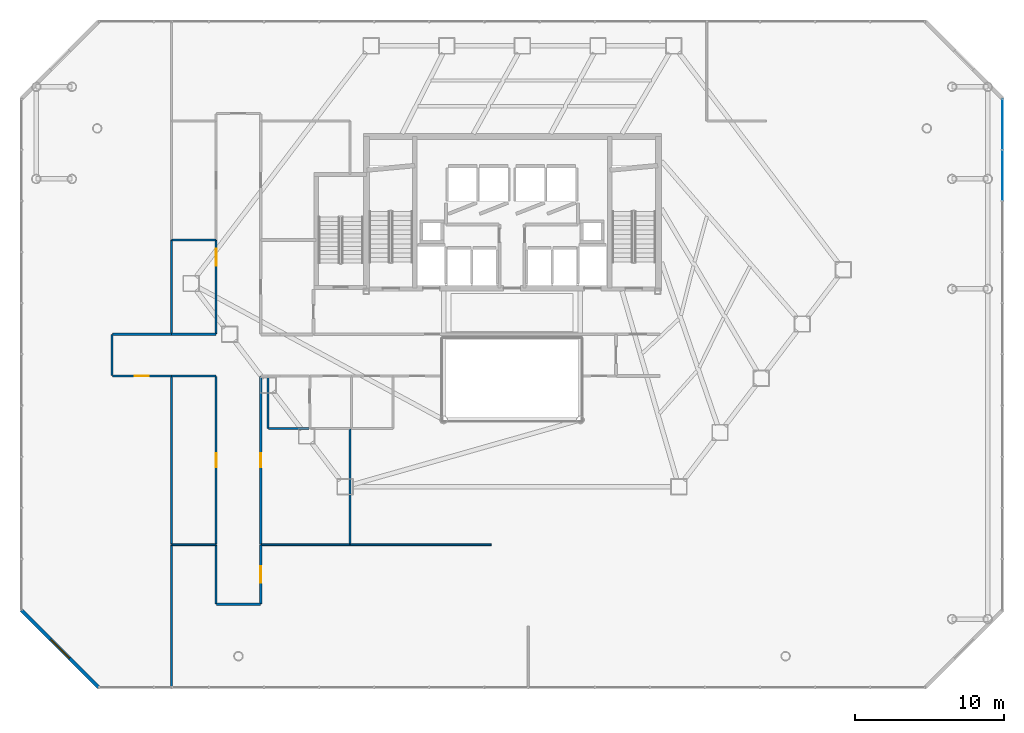
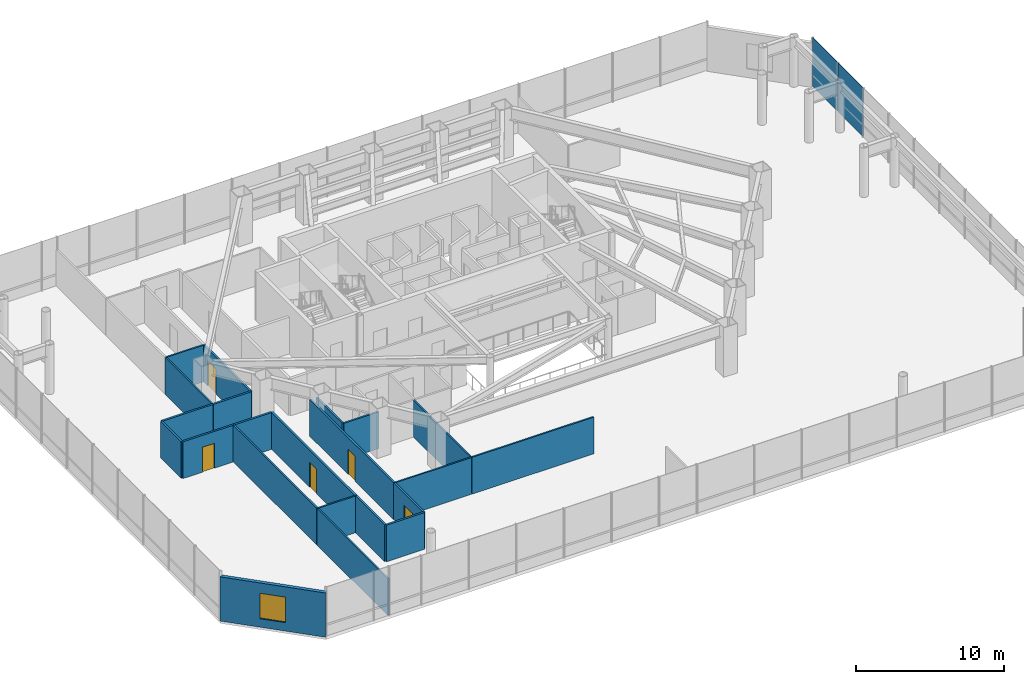
# One storey, part 29 of 33: 22 walls, 5 doors, 2 plates, 1 window, 6 openings, 1 element without a shape of its own.
"""IFC4 building model written with IfcOpenShell, lengths in metres."""

from ifc_helpers import new_model, si_unit, direction, frame, frame_2d, origin, origin_2d, place, context, subcontext, project, spatial, rectangle, extrude, material, layer, layer_set, type_object, element, fill, aggregate, save


model = new_model("IFC4")

# Units and contexts
model_context = context("Model", 3, precision=1e-05, world=origin(), true_north=direction((0.0, 1.0)))
body_context = subcontext(model_context, "Body", "Model", "MODEL_VIEW")
ifc_project = project(units=[si_unit("LENGTHUNIT", "METRE"), si_unit("AREAUNIT", "SQUARE_METRE"), si_unit("VOLUMEUNIT", "CUBIC_METRE"), si_unit("PLANEANGLEUNIT", "RADIAN"), si_unit("MASSUNIT", "GRAM", prefix="KILO")], contexts=[model_context])

# Site, building, storey
site_placement = place(None, origin())
site = spatial("IfcSite", under=ifc_project, at=site_placement, CompositionType="ELEMENT")
building_placement = place(site_placement, origin())
building = spatial("IfcBuilding", under=site, at=building_placement, Name="Zarrinselat Tower", CompositionType="ELEMENT")
storey_placement = place(building_placement, frame((0.0, 0.0, 18.360107421875)))
storey = spatial("IfcBuildingStorey", under=building, at=storey_placement, Name="L04", CompositionType="ELEMENT", Elevation=18.360107421875)

# Curtain wall, plates
ifc_material_1 = material(Name="Extruded Aluminium Alloy EN AW-6063 T6", Category="aluminium")
ifc_layer_1 = layer(ifc_material_1, 0.2099609375)
ifc_layer_set_1 = layer_set([ifc_layer_1], Name="Extruded Aluminium Alloy EN AW-6063 T6")
curtain_wall_type = type_object("IfcCurtainWallType", Name="CWS-POD", PredefinedType="NOTDEFINED", material=ifc_layer_set_1)
curtain_wall_placement = place(storey_placement, origin())
curtain_wall = element("IfcCurtainWall", 1, at=curtain_wall_placement, inside=storey, type_object=curtain_wall_type, Name="L04 Unitised Curtain Wall CW-L04-F3", PredefinedType="NOTDEFINED")
ifc_material_2 = material(Name="Double Low-E Laminated Solar Glass", Category="glass")
ifc_layer_2 = layer(ifc_material_2, 0.035888671875)
ifc_layer_set_2 = layer_set([ifc_layer_2], Name="Double Low-E Laminated Solar Glass")
plate_type = type_object("IfcPlateType", Name="PLT-CW-GL36", PredefinedType="CURTAIN_PANEL", material=ifc_layer_set_2)
plate_1_placement = place(storey_placement, frame((71.39990234375, 40.840087890625, 0.02001953125), z_axis=(0.0, 0.0, 1.0), x_axis=(0.0, 1.0, 0.0)))
plate_1 = element("IfcPlate", 2, at=plate_1_placement, type_object=plate_type, Name="CW-L04-F3 Vision Glass Panel 9", PredefinedType="CURTAIN_PANEL", context=body_context, shape_type="SweptSolid", body=[
    extrude(rectangle(XDim=3.340087890625, YDim=0.035888671875, at=origin_2d()), origin(), (0.0, 0.0, 1.0), 4.030029296875),
])
plate_2_placement = place(storey_placement, frame((71.39990234375, 44.280029296875, 0.02001953125), z_axis=(0.0, 0.0, 1.0), x_axis=(0.0, 1.0, 0.0)))
plate_2 = element("IfcPlate", 3, at=plate_2_placement, type_object=plate_type, Name="CW-L04-F3 Vision Glass Panel 10", PredefinedType="CURTAIN_PANEL", context=body_context, shape_type="SweptSolid", body=[
    extrude(rectangle(XDim=3.340087890625, YDim=0.035888671875, at=origin_2d()), origin(), (0.0, 0.0, 1.0), 4.030029296875),
])
aggregate(curtain_wall, [plate_1, plate_2])

# Wall, opening, window
ifc_material_3 = material(Name="Honed Cream Travertine Stone", Category="masonry")
ifc_layer_3 = layer(ifc_material_3, 0.260009765625)
ifc_layer_set_3 = layer_set([ifc_layer_3], Name="Honed Cream Travertine Stone")
wall_type_1 = type_object("IfcWallType", Name="WAL-EXT-STONE-260", PredefinedType="STANDARD", material=ifc_layer_set_3)
wall_1_placement = place(storey_placement, frame((5.39990234375, 11.60009765625, 0.0), z_axis=(0.0, 0.0, 1.0), x_axis=(0.707106781187, -0.707106781187, 0.0)))
wall_1 = element("IfcWall", 4, at=wall_1_placement, inside=storey, type_object=wall_type_1, Name="L04 Chamfered Stone Corner Wall 7", PredefinedType="STANDARD", context=body_context, shape_type="SweptSolid", body=[
    extrude(rectangle(XDim=7.354248046875, YDim=0.260009765625, at=frame_2d((3.67724609375, 0.0))), origin(), (0.0, 0.0, 1.0), 3.64990234375),
])
opening_1_placement = place(wall_1_placement, frame((2.777099609375, 0.0, 0.699951171875)))
opening_1 = element("IfcOpeningElement", 5, at=opening_1_placement, cuts=wall_1, Name="Opening WN-2", PredefinedType="OPENING", context=body_context, shape_type="SweptSolid", body=[
    extrude(rectangle(XDim=1.800048828125, YDim=2.10009765625, at=frame_2d((0.89990234375, 1.050048828125))), frame((0.0, 0.139892578125, 0.0), z_axis=(0.0, -1.0, 0.0), x_axis=(1.0, 0.0, 0.0)), (0.0, 0.0, 1.0), 0.280029296875),
])
ifc_material_4 = material(Name="Double Low-E Laminated Solar Glass", Category="glass")
window_type = type_object("IfcWindowType", Name="WIN-GALLERY-1800", PartitioningType="SINGLE_PANEL", PredefinedType="WINDOW", material=ifc_material_4)
window_placement = place(opening_1_placement, origin())
window = element("IfcWindow", 6, at=window_placement, inside=storey, type_object=window_type, Name="L04 Corner Gallery Window 7", OverallHeight=2.10009765625, OverallWidth=1.800048828125, PartitioningType="SINGLE_PANEL", PredefinedType="WINDOW", context=body_context, shape_type="SweptSolid", body=[
    extrude(rectangle(XDim=1.800048828125, YDim=2.10009765625, at=frame_2d((0.89990234375, 1.050048828125))), frame((0.0, 0.030029296875, 0.0), z_axis=(0.0, -1.0, 0.0), x_axis=(1.0, 0.0, 0.0)), (0.0, 0.0, 1.0), 0.06005859375),
])
fill(opening_1, window)

# Wall, opening, door
ifc_material_5 = material(Name="Fire-Rated Gypsum Board Partition", Category="gypsum")
ifc_layer_4 = layer(ifc_material_5, 0.14990234375)
ifc_layer_set_4 = layer_set([ifc_layer_4], Name="Fire-Rated Gypsum Board Partition")
wall_type_2 = type_object("IfcWallType", Name="WAL-PART-EI60", PredefinedType="PARTITIONING", material=ifc_layer_set_4)
wall_2_placement = place(storey_placement, frame((21.5, 12.02001953125, 0.0), z_axis=(0.0, 0.0, 1.0), x_axis=(0.0, 1.0, 0.0)))
wall_2 = element("IfcWall", 7, at=wall_2_placement, inside=storey, type_object=wall_type_2, Name="L04 Partition Wall 16", PredefinedType="PARTITIONING", context=body_context, shape_type="SweptSolid", body=[
    extrude(rectangle(XDim=3.97509765625, YDim=0.14990234375, at=frame_2d((1.987548828125, 0.0))), origin(), (0.0, 0.0, 1.0), 3.02685546875),
])
opening_2_placement = place(wall_2_placement, frame((1.427490234375, 0.0, 0.0)))
opening_2 = element("IfcOpeningElement", 8, at=opening_2_placement, cuts=wall_2, Name="Opening ID-02", PredefinedType="OPENING", context=body_context, shape_type="SweptSolid", body=[
    extrude(rectangle(XDim=1.1201171875, YDim=2.050048828125, at=frame_2d((0.56005859375, 1.02490234375))), frame((0.0, 0.0849609375, 0.0), z_axis=(0.0, -1.0, 0.0), x_axis=(1.0, 0.0, 0.0)), (0.0, 0.0, 1.0), 0.169921875),
])
ifc_material_6 = material(Name="Steel S355J2", Category="steel")
door_type_1 = type_object("IfcDoorType", Name="DR-INT-FD60-W", OperationType="NOTDEFINED", PredefinedType="DOOR", material=ifc_material_6)
door_1_placement = place(opening_2_placement, origin())
door_1 = element("IfcDoor", 9, at=door_1_placement, inside=storey, type_object=door_type_1, Name="L04 Interior Door P16", OperationType="SINGLE_SWING_RIGHT", OverallHeight=2.050048828125, OverallWidth=1.1201171875, PredefinedType="DOOR", context=body_context, shape_type="SweptSolid", body=[
    extrude(rectangle(XDim=1.1201171875, YDim=2.050048828125, at=frame_2d((0.56005859375, 1.02490234375))), frame((0.0, 0.02490234375, 0.0), z_axis=(0.0, -1.0, 0.0), x_axis=(1.0, 0.0, 0.0)), (0.0, 0.0, 1.0), 0.050048828125),
])
fill(opening_2, door_1)

# Walls
wall_3_placement = place(storey_placement, frame((18.52001953125, 12.0, 0.0), z_axis=(0.0, 0.0, 1.0), x_axis=(1.0, 0.0, 0.0)))
element("IfcWall", 10, at=wall_3_placement, inside=storey, type_object=wall_type_2, Name="L04 Partition Wall 17", PredefinedType="PARTITIONING", context=body_context, shape_type="SweptSolid", body=[
    extrude(rectangle(XDim=2.9599609375, YDim=0.14990234375, at=frame_2d((1.47998046875, 0.0))), origin(), (0.0, 0.0, 1.0), 3.02685546875),
])
wall_4_placement = place(storey_placement, frame((18.5, 12.02001953125, 0.0), z_axis=(0.0, 0.0, 1.0), x_axis=(0.0, 1.0, 0.0)))
element("IfcWall", 11, at=wall_4_placement, inside=storey, type_object=wall_type_2, Name="L04 Partition Wall 18", PredefinedType="PARTITIONING", context=body_context, shape_type="SweptSolid", body=[
    extrude(rectangle(XDim=3.97509765625, YDim=0.14990234375, at=frame_2d((1.987548828125, 0.0))), origin(), (0.0, 0.0, 1.0), 3.02685546875),
])

# Wall, opening, door
wall_5_placement = place(storey_placement, frame((21.5, 16.0048828125, 0.0), z_axis=(0.0, 0.0, 1.0), x_axis=(0.0, 1.0, 0.0)))
wall_5 = element("IfcWall", 12, at=wall_5_placement, inside=storey, type_object=wall_type_2, Name="L04 Partition Wall 20", PredefinedType="PARTITIONING", context=body_context, shape_type="SweptSolid", body=[
    extrude(rectangle(XDim=11.3251953125, YDim=0.14990234375, at=frame_2d((5.66259765625, 0.0))), origin(), (0.0, 0.0, 1.0), 3.02685546875),
])
opening_3_placement = place(wall_5_placement, frame((5.1923828125, 0.0, 0.0)))
opening_3 = element("IfcOpeningElement", 13, at=opening_3_placement, cuts=wall_5, Name="Opening ID-04", PredefinedType="OPENING", context=body_context, shape_type="SweptSolid", body=[
    extrude(rectangle(XDim=0.93994140625, YDim=2.050048828125, at=frame_2d((0.469970703125, 1.02490234375))), frame((0.0, 0.0849609375, 0.0), z_axis=(0.0, -1.0, 0.0), x_axis=(1.0, 0.0, 0.0)), (0.0, 0.0, 1.0), 0.169921875),
])
ifc_material_7 = material(Name="Fire-Rated Gypsum Board Partition")
door_type_2 = type_object("IfcDoorType", Name="DR-INT-FD30-ENT", OperationType="NOTDEFINED", PredefinedType="DOOR", material=ifc_material_7)
door_2_placement = place(opening_3_placement, origin())
door_2 = element("IfcDoor", 14, at=door_2_placement, inside=storey, type_object=door_type_2, Name="L04 Interior Door P20", OperationType="SINGLE_SWING_LEFT", OverallHeight=2.050048828125, OverallWidth=0.93994140625, PredefinedType="DOOR", context=body_context, shape_type="SweptSolid", body=[
    extrude(rectangle(XDim=0.93994140625, YDim=2.050048828125, at=frame_2d((0.469970703125, 1.02490234375))), frame((0.0, 0.02490234375, 0.0), z_axis=(0.0, -1.0, 0.0), x_axis=(1.0, 0.0, 0.0)), (0.0, 0.0, 1.0), 0.050048828125),
])
fill(opening_3, door_2)

wall_6_placement = place(storey_placement, frame((18.5, 16.0048828125, 0.0), z_axis=(0.0, 0.0, 1.0), x_axis=(0.0, 1.0, 0.0)))
wall_6 = element("IfcWall", 15, at=wall_6_placement, inside=storey, type_object=wall_type_2, Name="L04 Partition Wall 23", PredefinedType="PARTITIONING", context=body_context, shape_type="SweptSolid", body=[
    extrude(rectangle(XDim=11.3251953125, YDim=0.14990234375, at=frame_2d((5.66259765625, 0.0))), origin(), (0.0, 0.0, 1.0), 3.02685546875),
])
opening_4_placement = place(wall_6_placement, frame((5.1923828125, 0.0, 0.0)))
opening_4 = element("IfcOpeningElement", 16, at=opening_4_placement, cuts=wall_6, Name="Opening ID-04", PredefinedType="OPENING", context=body_context, shape_type="SweptSolid", body=[
    extrude(rectangle(XDim=0.93994140625, YDim=2.050048828125, at=frame_2d((0.469970703125, 1.02490234375))), frame((0.0, 0.0849609375, 0.0), z_axis=(0.0, -1.0, 0.0), x_axis=(1.0, 0.0, 0.0)), (0.0, 0.0, 1.0), 0.169921875),
])
door_3_placement = place(opening_4_placement, origin())
door_3 = element("IfcDoor", 17, at=door_3_placement, inside=storey, type_object=door_type_2, Name="L04 Interior Door P23", OperationType="SINGLE_SWING_RIGHT", OverallHeight=2.050048828125, OverallWidth=0.93994140625, PredefinedType="DOOR", context=body_context, shape_type="SweptSolid", body=[
    extrude(rectangle(XDim=0.93994140625, YDim=2.050048828125, at=frame_2d((0.469970703125, 1.02490234375))), frame((0.0, 0.02490234375, 0.0), z_axis=(0.0, -1.0, 0.0), x_axis=(1.0, 0.0, 0.0)), (0.0, 0.0, 1.0), 0.050048828125),
])
fill(opening_4, door_3)

# Wall
wall_7_placement = place(storey_placement, frame((15.5048828125, 27.35009765625, 0.0), z_axis=(0.0, 0.0, 1.0), x_axis=(1.0, 0.0, 0.0)))
element("IfcWall", 18, at=wall_7_placement, inside=storey, type_object=wall_type_2, Name="L04 Partition Wall 24", PredefinedType="PARTITIONING", context=body_context, shape_type="SweptSolid", body=[
    extrude(rectangle(XDim=2.97509765625, YDim=0.14990234375, at=frame_2d((1.487548828125, 0.0))), origin(), (0.0, 0.0, 1.0), 3.02685546875),
])

# Wall, opening, door
wall_8_placement = place(storey_placement, frame((11.52001953125, 27.35009765625, 0.0), z_axis=(0.0, 0.0, 1.0), x_axis=(1.0, 0.0, 0.0)))
wall_8 = element("IfcWall", 19, at=wall_8_placement, inside=storey, type_object=wall_type_2, Name="L04 Partition Wall 25", PredefinedType="PARTITIONING", context=body_context, shape_type="SweptSolid", body=[
    extrude(rectangle(XDim=3.97509765625, YDim=0.14990234375, at=frame_2d((1.987548828125, 0.0))), origin(), (0.0, 0.0, 1.0), 3.02685546875),
])
opening_5_placement = place(wall_8_placement, frame((1.517578125, 0.0, 0.0)))
opening_5 = element("IfcOpeningElement", 20, at=opening_5_placement, cuts=wall_8, Name="Opening ID-04", PredefinedType="OPENING", context=body_context, shape_type="SweptSolid", body=[
    extrude(rectangle(XDim=0.93994140625, YDim=2.050048828125, at=frame_2d((0.469970703125, 1.02490234375))), frame((0.0, 0.0849609375, 0.0), z_axis=(0.0, -1.0, 0.0), x_axis=(1.0, 0.0, 0.0)), (0.0, 0.0, 1.0), 0.169921875),
])
door_4_placement = place(opening_5_placement, origin())
door_4 = element("IfcDoor", 21, at=door_4_placement, inside=storey, type_object=door_type_2, Name="L04 Interior Door P25", OperationType="SINGLE_SWING_LEFT", OverallHeight=2.050048828125, OverallWidth=0.93994140625, PredefinedType="DOOR", context=body_context, shape_type="SweptSolid", body=[
    extrude(rectangle(XDim=0.93994140625, YDim=2.050048828125, at=frame_2d((0.469970703125, 1.02490234375))), frame((0.0, 0.02490234375, 0.0), z_axis=(0.0, -1.0, 0.0), x_axis=(1.0, 0.0, 0.0)), (0.0, 0.0, 1.0), 0.050048828125),
])
fill(opening_5, door_4)

# Walls
wall_9_placement = place(storey_placement, frame((11.5, 27.3701171875, 0.0), z_axis=(0.0, 0.0, 1.0), x_axis=(0.0, 1.0, 0.0)))
element("IfcWall", 22, at=wall_9_placement, inside=storey, type_object=wall_type_2, Name="L04 Partition Wall 26", PredefinedType="PARTITIONING", context=body_context, shape_type="SweptSolid", body=[
    extrude(rectangle(XDim=2.759765625, YDim=0.14990234375, at=frame_2d((1.3798828125, 0.0))), origin(), (0.0, 0.0, 1.0), 3.02685546875),
])
wall_10_placement = place(storey_placement, frame((11.52001953125, 30.14990234375, 0.0), z_axis=(0.0, 0.0, 1.0), x_axis=(1.0, 0.0, 0.0)))
element("IfcWall", 23, at=wall_10_placement, inside=storey, type_object=wall_type_2, Name="L04 Partition Wall 27", PredefinedType="PARTITIONING", context=body_context, shape_type="SweptSolid", body=[
    extrude(rectangle(XDim=3.97509765625, YDim=0.14990234375, at=frame_2d((1.987548828125, 0.0))), origin(), (0.0, 0.0, 1.0), 3.02685546875),
])
wall_11_placement = place(storey_placement, frame((15.5048828125, 30.14990234375, 0.0), z_axis=(0.0, 0.0, 1.0), x_axis=(1.0, 0.0, 0.0)))
element("IfcWall", 24, at=wall_11_placement, inside=storey, type_object=wall_type_2, Name="L04 Partition Wall 28", PredefinedType="PARTITIONING", context=body_context, shape_type="SweptSolid", body=[
    extrude(rectangle(XDim=2.97509765625, YDim=0.14990234375, at=frame_2d((1.487548828125, 0.0))), origin(), (0.0, 0.0, 1.0), 3.02685546875),
])

# Wall, opening, door
wall_12_placement = place(storey_placement, frame((18.5, 30.169921875, 0.0), z_axis=(0.0, 0.0, 1.0), x_axis=(0.0, 1.0, 0.0)))
wall_12 = element("IfcWall", 25, at=wall_12_placement, inside=storey, type_object=wall_type_2, Name="L04 Partition Wall 29", PredefinedType="PARTITIONING", context=body_context, shape_type="SweptSolid", body=[
    extrude(rectangle(XDim=6.3251953125, YDim=0.14990234375, at=frame_2d((3.16259765625, 0.0))), origin(), (0.0, 0.0, 1.0), 3.02685546875),
])
opening_6_placement = place(wall_12_placement, frame((4.6025390625, 0.0, 0.0)))
opening_6 = element("IfcOpeningElement", 26, at=opening_6_placement, cuts=wall_12, Name="Opening ID-02", PredefinedType="OPENING", context=body_context, shape_type="SweptSolid", body=[
    extrude(rectangle(XDim=1.1201171875, YDim=2.050048828125, at=frame_2d((0.56005859375, 1.02490234375))), frame((0.0, 0.0849609375, 0.0), z_axis=(0.0, -1.0, 0.0), x_axis=(1.0, 0.0, 0.0)), (0.0, 0.0, 1.0), 0.169921875),
])
door_5_placement = place(opening_6_placement, origin())
door_5 = element("IfcDoor", 27, at=door_5_placement, inside=storey, type_object=door_type_1, Name="L04 Interior Door P29", OperationType="SINGLE_SWING_RIGHT", OverallHeight=2.050048828125, OverallWidth=1.1201171875, PredefinedType="DOOR", context=body_context, shape_type="SweptSolid", body=[
    extrude(rectangle(XDim=1.1201171875, YDim=2.050048828125, at=frame_2d((0.56005859375, 1.02490234375))), frame((0.0, 0.02490234375, 0.0), z_axis=(0.0, -1.0, 0.0), x_axis=(1.0, 0.0, 0.0)), (0.0, 0.0, 1.0), 0.050048828125),
])
fill(opening_6, door_5)

# Walls
ifc_material_8 = material(Name="Extruded Aluminium Alloy EN AW-6063 T6", Category="aluminium")
ifc_layer_5 = layer(ifc_material_8, 0.114990234375)
ifc_layer_set_5 = layer_set([ifc_layer_5], Name="Extruded Aluminium Alloy EN AW-6063 T6")
wall_type_3 = type_object("IfcWallType", Name="WAL-PART-MOV", PredefinedType="MOVABLE", material=ifc_layer_set_5)
wall_13_placement = place(storey_placement, frame((21.52001953125, 16.0, 0.0), z_axis=(0.0, 0.0, 1.0), x_axis=(1.0, 0.0, 0.0)))
element("IfcWall", 28, at=wall_13_placement, inside=storey, type_object=wall_type_3, Name="L04 Partition Wall 45", PredefinedType="MOVABLE", context=body_context, shape_type="SweptSolid", body=[
    extrude(rectangle(XDim=5.9599609375, YDim=0.114990234375, at=frame_2d((2.97998046875, 0.0))), origin(), (0.0, 0.0, 1.0), 3.02685546875),
])
wall_14_placement = place(storey_placement, frame((27.5, 16.02001953125, 0.0), z_axis=(0.0, 0.0, 1.0), x_axis=(0.0, 1.0, 0.0)))
element("IfcWall", 29, at=wall_14_placement, inside=storey, type_object=wall_type_3, Name="L04 Partition Wall 50", PredefinedType="MOVABLE", context=body_context, shape_type="SweptSolid", body=[
    extrude(rectangle(XDim=7.760009765625, YDim=0.114990234375, at=frame_2d((3.8798828125, 0.0))), origin(), (0.0, 0.0, 1.0), 3.02685546875),
])
ifc_material_9 = material(Name="Fire-Rated Gypsum Board Partition", Category="gypsum")
ifc_layer_6 = layer(ifc_material_9, 0.1201171875)
ifc_layer_set_6 = layer_set([ifc_layer_6], Name="Fire-Rated Gypsum Board Partition")
wall_type_4 = type_object("IfcWallType", Name="WAL-PART-STD", PredefinedType="PARTITIONING", material=ifc_layer_set_6)
wall_15_placement = place(storey_placement, frame((27.52001953125, 16.0, 0.0), z_axis=(0.0, 0.0, 1.0), x_axis=(1.0, 0.0, 0.0)))
element("IfcWall", 30, at=wall_15_placement, inside=storey, type_object=wall_type_4, Name="L04 Partition Wall 46", PredefinedType="PARTITIONING", context=body_context, shape_type="SweptSolid", body=[
    extrude(rectangle(XDim=9.47998046875, YDim=0.1201171875, at=frame_2d((4.739990234375, 0.0))), origin(), (0.0, 0.0, 1.0), 3.02685546875),
])
wall_16_placement = place(storey_placement, frame((15.52001953125, 16.0, 0.0), z_axis=(0.0, 0.0, 1.0), x_axis=(1.0, 0.0, 0.0)))
element("IfcWall", 31, at=wall_16_placement, inside=storey, type_object=wall_type_4, Name="L04 Partition Wall 48", PredefinedType="PARTITIONING", context=body_context, shape_type="SweptSolid", body=[
    extrude(rectangle(XDim=2.9599609375, YDim=0.1201171875, at=frame_2d((1.47998046875, 0.0))), origin(), (0.0, 0.0, 1.0), 3.02685546875),
])
wall_17_placement = place(storey_placement, frame((15.5, 6.4150390625, 0.0), z_axis=(0.0, 0.0, 1.0), x_axis=(0.0, 1.0, 0.0)))
element("IfcWall", 32, at=wall_17_placement, inside=storey, type_object=wall_type_4, Name="L04 Partition Wall 49", PredefinedType="PARTITIONING", context=body_context, shape_type="SweptSolid", body=[
    extrude(rectangle(XDim=9.56494140625, YDim=0.1201171875, at=frame_2d((4.782470703125, 0.0))), origin(), (0.0, 0.0, 1.0), 3.02685546875),
])
wall_18_placement = place(storey_placement, frame((15.5, 16.02001953125, 0.0), z_axis=(0.0, 0.0, 1.0), x_axis=(0.0, 1.0, 0.0)))
element("IfcWall", 33, at=wall_18_placement, inside=storey, type_object=wall_type_4, Name="L04 Partition Wall 53", PredefinedType="PARTITIONING", context=body_context, shape_type="SweptSolid", body=[
    extrude(rectangle(XDim=11.31005859375, YDim=0.1201171875, at=frame_2d((5.655029296875, 0.0))), origin(), (0.0, 0.0, 1.0), 3.02685546875),
])
wall_19_placement = place(storey_placement, frame((15.5, 30.169921875, 0.0), z_axis=(0.0, 0.0, 1.0), x_axis=(0.0, 1.0, 0.0)))
element("IfcWall", 34, at=wall_19_placement, inside=storey, type_object=wall_type_4, Name="L04 Partition Wall 54", PredefinedType="PARTITIONING", context=body_context, shape_type="SweptSolid", body=[
    extrude(rectangle(XDim=6.31005859375, YDim=0.1201171875, at=frame_2d((3.155029296875, 0.0))), origin(), (0.0, 0.0, 1.0), 3.02685546875),
])
wall_20_placement = place(storey_placement, frame((15.52001953125, 36.5, 0.0), z_axis=(0.0, 0.0, 1.0), x_axis=(1.0, 0.0, 0.0)))
element("IfcWall", 35, at=wall_20_placement, inside=storey, type_object=wall_type_4, Name="L04 Partition Wall 57", PredefinedType="PARTITIONING", context=body_context, shape_type="SweptSolid", body=[
    extrude(rectangle(XDim=2.9599609375, YDim=0.1201171875, at=frame_2d((1.47998046875, 0.0))), origin(), (0.0, 0.0, 1.0), 3.02685546875),
])
ifc_material_10 = material(Name="Fire-Rated Gypsum Board Partition", Category="gypsum")
ifc_layer_7 = layer(ifc_material_10, 0.135009765625)
ifc_layer_set_7 = layer_set([ifc_layer_7], Name="Fire-Rated Gypsum Board Partition")
wall_type_5 = type_object("IfcWallType", Name="WAL-PART-WET", PredefinedType="PARTITIONING", material=ifc_layer_set_7)
wall_21_placement = place(storey_placement, frame((22.02001953125, 23.800048828125, 0.0), z_axis=(0.0, 0.0, 1.0), x_axis=(1.0, 0.0, 0.0)))
element("IfcWall", 36, at=wall_21_placement, inside=storey, type_object=wall_type_5, Name="L04 Partition Wall 39", PredefinedType="PARTITIONING", context=body_context, shape_type="SweptSolid", body=[
    extrude(rectangle(XDim=2.73193359375, YDim=0.135009765625, at=frame_2d((1.365966796875, 0.0))), origin(), (0.0, 0.0, 1.0), 3.02685546875),
])
wall_22_placement = place(storey_placement, frame((22.0, 23.820068359375, 0.0), z_axis=(0.0, 0.0, 1.0), x_axis=(0.0, 1.0, 0.0)))
element("IfcWall", 37, at=wall_22_placement, inside=storey, type_object=wall_type_5, Name="L04 Partition Wall 40", PredefinedType="PARTITIONING", context=body_context, shape_type="SweptSolid", body=[
    extrude(rectangle(XDim=3.510009765625, YDim=0.135009765625, at=frame_2d((1.7548828125, 0.0))), origin(), (0.0, 0.0, 1.0), 3.02685546875),
])

save(model, "model.ifc")
